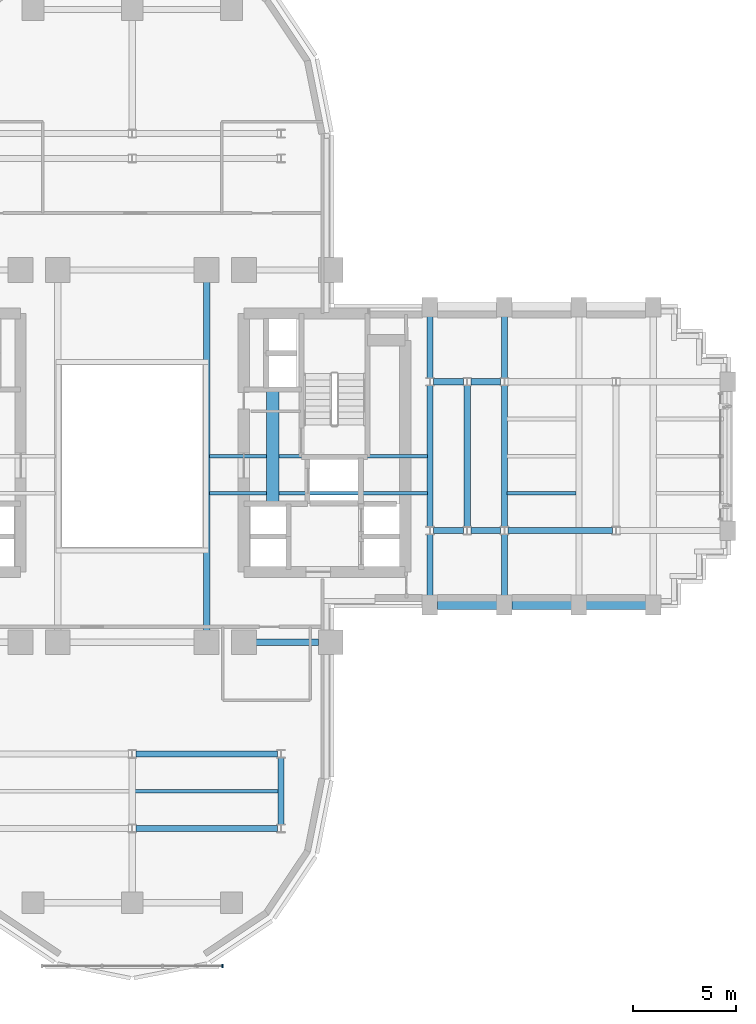
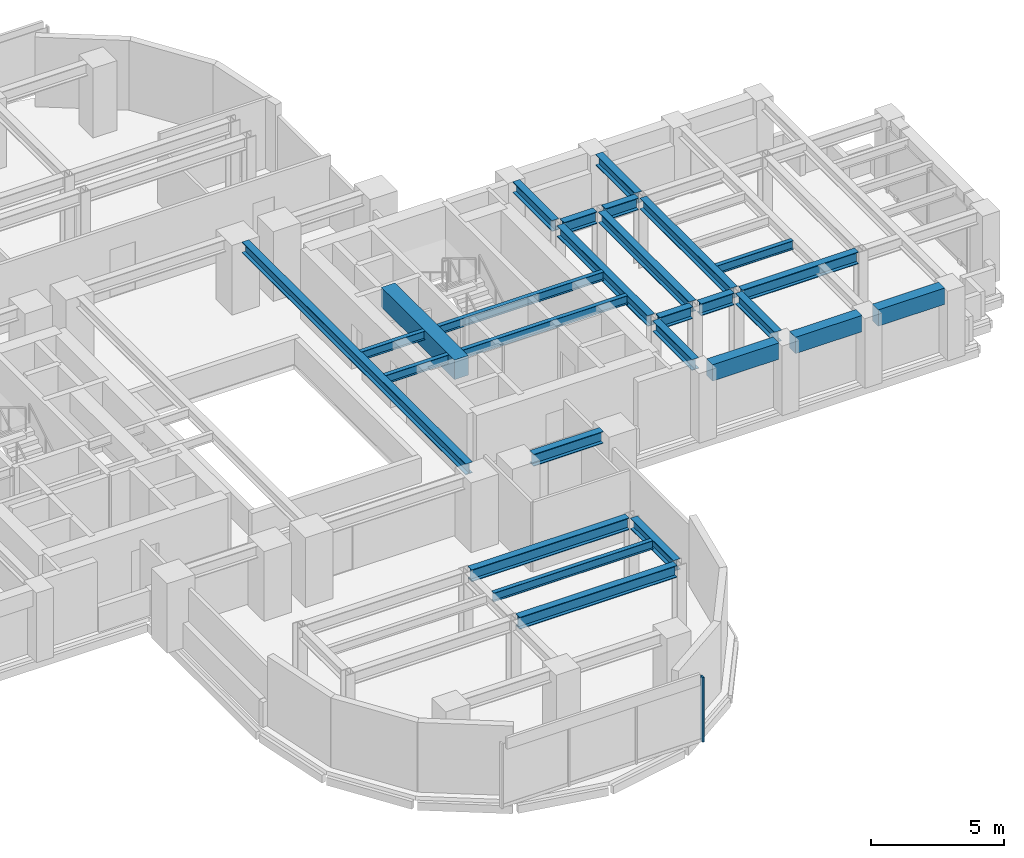
# One storey, part 5 of 16: 25 beams, 1 member, 1 element without a shape of its own.
"""IFC4 building model written with IfcOpenShell, lengths in metres."""

from ifc_helpers import new_model, si_unit, direction, frame, origin, origin_2d, place, context, subcontext, project, spatial, rectangle, i_section, extrude, source, transform, mapped, material, material_profile, profile_set, type_object, element, aggregate, save


model = new_model("IFC4")

# Units and contexts
model_context = context("Model", 3, precision=1e-05, world=origin(), true_north=direction((0.0, 1.0)))
body_context = subcontext(model_context, "Body", "Model", "MODEL_VIEW")
ifc_project = project(units=[si_unit("LENGTHUNIT", "METRE"), si_unit("AREAUNIT", "SQUARE_METRE"), si_unit("VOLUMEUNIT", "CUBIC_METRE"), si_unit("PLANEANGLEUNIT", "RADIAN"), si_unit("MASSUNIT", "GRAM", prefix="KILO")], contexts=[model_context])

# Site, building, storey
site_placement = place(None, origin())
site = spatial("IfcSite", under=ifc_project, at=site_placement, CompositionType="ELEMENT")
building_placement = place(site_placement, origin())
building = spatial("IfcBuilding", under=site, at=building_placement, Name="Keilestroom Media Tower", CompositionType="ELEMENT")
storey_placement = place(building_placement, frame((0.0, 0.0, 64.60009765625)))
storey = spatial("IfcBuildingStorey", under=building, at=storey_placement, Name="L16", CompositionType="ELEMENT", Elevation=64.60009765625)

# Beams
ifc_material_1 = material(Name="Concrete C70/85", Category="concrete")
ifc_material_profile_1 = material_profile(ifc_material_1, rectangle(XDim=0.60009765625, YDim=0.89990234375, at=origin_2d()), Name="RC 600x900")
ifc_profile_set_1 = profile_set([ifc_material_profile_1], Name="Concrete C70/85")
beam_type_1 = type_object("IfcBeamType", Name="Core-Coupling-Lintel-Beam-RC-600x900", PredefinedType="LINTEL", material=ifc_profile_set_1)
shared_shape_1 = source(origin(), body_context, "Body", "SweptSolid", [
    extrude(rectangle(XDim=0.60009765625, YDim=0.89990234375, at=origin_2d()), origin(), (0.0, 0.0, 1.0), 5.52001953125),
])
beam_1_placement = place(storey_placement, frame((6.800048828125, -2.300048828125, 2.75), z_axis=(0.0, 1.0, 0.0), x_axis=(-1.0, 0.0, 0.0)))
element("IfcBeam", 1, at=beam_1_placement, inside=storey, type_object=beam_type_1, Name="L16 Beam CLB-1 CLB-L16-E", PredefinedType="LINTEL", context=body_context, shape_type="MappedRepresentation", body=[
    mapped(shared_shape_1, transform((0.0, 0.0, 0.0), x_axis=(1.0, 0.0, 0.0), y_axis=(0.0, 1.0, 0.0), z_axis=(0.0, 0.0, 1.0), scale=1.0)),
])
ifc_material_2 = material(Name="Steel S355", Category="steel")
ifc_material_profile_2 = material_profile(ifc_material_2, i_section(OverallWidth=0.300048828125, OverallDepth=0.550048828125, WebThickness=0.012939453125, FlangeThickness=0.029052734375, at=origin_2d()), Name="HEB 550")
ifc_profile_set_2 = profile_set([ifc_material_profile_2], Name="Steel S355")
beam_type_2 = type_object("IfcBeamType", Name="Primary-Structural-Girder-HEB-550", PredefinedType="BEAM", material=ifc_profile_set_2)
shared_shape_2 = source(origin(), body_context, "Body", "SweptSolid", [
    extrude(i_section(OverallWidth=0.300048828125, OverallDepth=0.550048828125, WebThickness=0.012939453125, FlangeThickness=0.029052734375, at=origin_2d()), origin(), (0.0, 0.0, 1.0), 6.836181640625),
])
for number, where, z_axis, x_axis, name in (
    (2, (0.181884765625, -18.0, 2.9248046875), (1.0, 0.0, 0.0), (0.0, 1.0, 0.0), "L16 Beam BG-5 BM-L16-EW-004"),
    (3, (0.181884765625, -14.39990234375, 2.9248046875), (1.0, 0.0, 0.0), (0.0, 1.0, 0.0), "L16 Beam BG-5 BM-L16-EW-006"),
):
    element("IfcBeam", number, at=place(storey_placement, frame(where, z_axis=z_axis, x_axis=x_axis)), inside=storey, type_object=beam_type_2, Name=name, PredefinedType="BEAM", context=body_context, shape_type="MappedRepresentation", body=[
        mapped(shared_shape_2, transform((0.0, 0.0, 0.0), x_axis=(1.0, 0.0, 0.0), y_axis=(0.0, 1.0, 0.0), z_axis=(0.0, 0.0, 1.0), scale=1.0)),
    ])
shared_shape_3 = source(origin(), body_context, "Body", "SweptSolid", [
    extrude(i_section(OverallWidth=0.300048828125, OverallDepth=0.550048828125, WebThickness=0.012939453125, FlangeThickness=0.029052734375, at=origin_2d()), origin(), (0.0, 0.0, 1.0), 3.0400390625),
])
beam_2_placement = place(storey_placement, frame((5.97998046875, -9.0, 2.9248046875), z_axis=(1.0, 0.0, 0.0), x_axis=(0.0, 1.0, 0.0)))
element("IfcBeam", 4, at=beam_2_placement, inside=storey, type_object=beam_type_2, Name="L16 Beam BG-5 BM-L16-EW-011", PredefinedType="BEAM", context=body_context, shape_type="MappedRepresentation", body=[
    mapped(shared_shape_3, transform((0.0, 0.0, 0.0), x_axis=(1.0, 0.0, 0.0), y_axis=(0.0, 1.0, 0.0), z_axis=(0.0, 0.0, 1.0), scale=1.0)),
])
ifc_material_3 = material(Name="Precast concrete C40/50", Category="concrete")
ifc_material_profile_3 = material_profile(ifc_material_3, rectangle(XDim=0.449951171875, YDim=0.75, at=origin_2d()), Name="PC 450x750")
ifc_profile_set_3 = profile_set([ifc_material_profile_3], Name="Precast concrete C40/50")
beam_type_3 = type_object("IfcBeamType", Name="Perimeter-Spandrel-Beam-PC-450x750", PredefinedType="SPANDREL", material=ifc_profile_set_3)
shared_shape_4 = source(origin(), body_context, "Body", "SweptSolid", [
    extrude(rectangle(XDim=0.449951171875, YDim=0.75, at=origin_2d()), origin(), (0.0, 0.0, 1.0), 2.889892578125),
])
beam_3_placement = place(storey_placement, frame((21.955078125, -7.199951171875, 2.824951171875), z_axis=(1.0, 0.0, 0.0), x_axis=(0.0, 1.0, 0.0)))
element("IfcBeam", 5, at=beam_3_placement, inside=storey, type_object=beam_type_3, Name="L16 Beam SPB-1 BM-L16-EW-017", PredefinedType="SPANDREL", context=body_context, shape_type="MappedRepresentation", body=[
    mapped(shared_shape_4, transform((0.0, 0.0, 0.0), x_axis=(1.0, 0.0, 0.0), y_axis=(0.0, 1.0, 0.0), z_axis=(0.0, 0.0, 1.0), scale=1.0)),
])
shared_shape_5 = source(origin(), body_context, "Body", "SweptSolid", [
    extrude(rectangle(XDim=0.449951171875, YDim=0.75, at=origin_2d()), origin(), (0.0, 0.0, 1.0), 2.89013671875),
])
for number, where, z_axis, x_axis, name in (
    (6, (14.7548828125, -7.199951171875, 2.824951171875), (1.0, 0.0, 0.0), (0.0, 1.0, 0.0), "L16 Beam SPB-1 BM-L16-EW-015"),
    (7, (18.35498046875, -7.199951171875, 2.824951171875), (1.0, 0.0, 0.0), (0.0, 1.0, 0.0), "L16 Beam SPB-1 BM-L16-EW-016"),
):
    element("IfcBeam", number, at=place(storey_placement, frame(where, z_axis=z_axis, x_axis=x_axis)), inside=storey, type_object=beam_type_3, Name=name, PredefinedType="SPANDREL", context=body_context, shape_type="MappedRepresentation", body=[
        mapped(shared_shape_5, transform((0.0, 0.0, 0.0), x_axis=(1.0, 0.0, 0.0), y_axis=(0.0, 1.0, 0.0), z_axis=(0.0, 0.0, 1.0), scale=1.0)),
    ])
shared_shape_6 = source(origin(), body_context, "Body", "SweptSolid", [
    extrude(i_section(OverallWidth=0.300048828125, OverallDepth=0.550048828125, WebThickness=0.012939453125, FlangeThickness=0.029052734375, at=origin_2d()), origin(), (0.0, 0.0, 1.0), 5.0361328125),
])
beam_4_placement = place(storey_placement, frame((18.181884765625, -3.60009765625, 2.9248046875), z_axis=(1.0, 0.0, 0.0), x_axis=(0.0, 1.0, 0.0)))
element("IfcBeam", 8, at=beam_4_placement, inside=storey, type_object=beam_type_2, Name="L16 Beam BG-5 BM-L16-EW-024", PredefinedType="BEAM", context=body_context, shape_type="MappedRepresentation", body=[
    mapped(shared_shape_6, transform((0.0, 0.0, 0.0), x_axis=(1.0, 0.0, 0.0), y_axis=(0.0, 1.0, 0.0), z_axis=(0.0, 0.0, 1.0), scale=1.0)),
])
shared_shape_7 = source(origin(), body_context, "Body", "SweptSolid", [
    extrude(i_section(OverallWidth=0.300048828125, OverallDepth=0.550048828125, WebThickness=0.012939453125, FlangeThickness=0.029052734375, at=origin_2d()), origin(), (0.0, 0.0, 1.0), 1.43603515625),
])
for number, where, z_axis, x_axis, name in (
    (9, (14.58203125, -3.60009765625, 2.9248046875), (1.0, 0.0, 0.0), (0.0, 1.0, 0.0), "L16 Beam BG-5 BM-L16-EW-022"),
    (10, (16.382080078125, -3.60009765625, 2.9248046875), (1.0, 0.0, 0.0), (0.0, 1.0, 0.0), "L16 Beam BG-5 BM-L16-EW-023"),
    (11, (14.58203125, 3.60009765625, 2.9248046875), (1.0, 0.0, 0.0), (0.0, 1.0, 0.0), "L16 Beam BG-5 BM-L16-EW-030"),
    (12, (16.382080078125, 3.60009765625, 2.9248046875), (1.0, 0.0, 0.0), (0.0, 1.0, 0.0), "L16 Beam BG-5 BM-L16-EW-031"),
):
    element("IfcBeam", number, at=place(storey_placement, frame(where, z_axis=z_axis, x_axis=x_axis)), inside=storey, type_object=beam_type_2, Name=name, PredefinedType="BEAM", context=body_context, shape_type="MappedRepresentation", body=[
        mapped(shared_shape_7, transform((0.0, 0.0, 0.0), x_axis=(1.0, 0.0, 0.0), y_axis=(0.0, 1.0, 0.0), z_axis=(0.0, 0.0, 1.0), scale=1.0)),
    ])
ifc_material_profile_4 = material_profile(ifc_material_2, i_section(OverallWidth=0.300048828125, OverallDepth=0.5, WebThickness=0.012451171875, FlangeThickness=0.028076171875, at=origin_2d()), Name="HEB 500")
ifc_profile_set_4 = profile_set([ifc_material_profile_4], Name="Steel S355")
beam_type_4 = type_object("IfcBeamType", Name="Primary-Structural-Girder-HEB-500", PredefinedType="BEAM", material=ifc_profile_set_4)
shared_shape_8 = source(origin(), body_context, "Body", "SweptSolid", [
    extrude(i_section(OverallWidth=0.300048828125, OverallDepth=0.5, WebThickness=0.012451171875, FlangeThickness=0.028076171875, at=origin_2d()), origin(), (0.0, 0.0, 1.0), 6.8330078125),
])
for number, where, z_axis, x_axis, name in (
    (13, (14.39990234375, -3.41650390625, 2.949951171875), (0.0, 1.0, 0.0), (-1.0, 0.0, 0.0), "L16 Beam BG-6 BM-L16-NS-077"),
    (14, (16.199951171875, -3.41650390625, 2.949951171875), (0.0, 1.0, 0.0), (-1.0, 0.0, 0.0), "L16 Beam BG-6 BM-L16-NS-079"),
    (15, (18.0, -3.41650390625, 2.949951171875), (0.0, 1.0, 0.0), (-1.0, 0.0, 0.0), "L16 Beam BG-6 BM-L16-NS-081"),
):
    element("IfcBeam", number, at=place(storey_placement, frame(where, z_axis=z_axis, x_axis=x_axis)), inside=storey, type_object=beam_type_4, Name=name, PredefinedType="BEAM", context=body_context, shape_type="MappedRepresentation", body=[
        mapped(shared_shape_8, transform((0.0, 0.0, 0.0), x_axis=(1.0, 0.0, 0.0), y_axis=(0.0, 1.0, 0.0), z_axis=(0.0, 0.0, 1.0), scale=1.0)),
    ])
shared_shape_9 = source(origin(), body_context, "Body", "SweptSolid", [
    extrude(i_section(OverallWidth=0.300048828125, OverallDepth=0.5, WebThickness=0.012451171875, FlangeThickness=0.028076171875, at=origin_2d()), origin(), (0.0, 0.0, 1.0), 2.961669921875),
])
for number, where, z_axis, x_axis, name in (
    (16, (14.39990234375, -6.7451171875, 2.949951171875), (0.0, 1.0, 0.0), (-1.0, 0.0, 0.0), "L16 Beam BG-6 BM-L16-NS-076"),
    (17, (14.39990234375, 3.783447265625, 2.949951171875), (0.0, 1.0, 0.0), (-1.0, 0.0, 0.0), "L16 Beam BG-6 BM-L16-NS-078"),
    (18, (18.0, -6.7451171875, 2.949951171875), (0.0, 1.0, 0.0), (-1.0, 0.0, 0.0), "L16 Beam BG-6 BM-L16-NS-080"),
    (19, (18.0, 3.783447265625, 2.949951171875), (0.0, 1.0, 0.0), (-1.0, 0.0, 0.0), "L16 Beam BG-6 BM-L16-NS-082"),
):
    element("IfcBeam", number, at=place(storey_placement, frame(where, z_axis=z_axis, x_axis=x_axis)), inside=storey, type_object=beam_type_4, Name=name, PredefinedType="BEAM", context=body_context, shape_type="MappedRepresentation", body=[
        mapped(shared_shape_9, transform((0.0, 0.0, 0.0), x_axis=(1.0, 0.0, 0.0), y_axis=(0.0, 1.0, 0.0), z_axis=(0.0, 0.0, 1.0), scale=1.0)),
    ])
shared_shape_10 = source(origin(), body_context, "Body", "SweptSolid", [
    extrude(i_section(OverallWidth=0.300048828125, OverallDepth=0.5, WebThickness=0.012451171875, FlangeThickness=0.028076171875, at=origin_2d()), origin(), (0.0, 0.0, 1.0), 3.23291015625),
])
beam_5_placement = place(storey_placement, frame((7.199951171875, -17.81640625, 2.949951171875), z_axis=(0.0, 1.0, 0.0), x_axis=(-1.0, 0.0, 0.0)))
element("IfcBeam", 20, at=beam_5_placement, inside=storey, type_object=beam_type_4, Name="L16 Beam BG-6 BM-L16-NS-073", PredefinedType="BEAM", context=body_context, shape_type="MappedRepresentation", body=[
    mapped(shared_shape_10, transform((0.0, 0.0, 0.0), x_axis=(1.0, 0.0, 0.0), y_axis=(0.0, 1.0, 0.0), z_axis=(0.0, 0.0, 1.0), scale=1.0)),
])
shared_shape_11 = source(origin(), body_context, "Body", "SweptSolid", [
    extrude(i_section(OverallWidth=0.300048828125, OverallDepth=0.5, WebThickness=0.012451171875, FlangeThickness=0.028076171875, at=origin_2d()), origin(), (0.0, 0.0, 1.0), 16.83984375),
])
beam_6_placement = place(storey_placement, frame((3.60009765625, -8.419921875, 2.949951171875), z_axis=(0.0, 1.0, 0.0), x_axis=(-1.0, 0.0, 0.0)))
element("IfcBeam", 21, at=beam_6_placement, inside=storey, type_object=beam_type_4, Name="L16 Beam BG-6 BM-L16-NS-071", PredefinedType="BEAM", context=body_context, shape_type="MappedRepresentation", body=[
    mapped(shared_shape_11, transform((0.0, 0.0, 0.0), x_axis=(1.0, 0.0, 0.0), y_axis=(0.0, 1.0, 0.0), z_axis=(0.0, 0.0, 1.0), scale=1.0)),
])
ifc_material_profile_5 = material_profile(ifc_material_2, i_section(OverallWidth=0.179931640625, OverallDepth=0.39990234375, WebThickness=0.008544921875, FlangeThickness=0.013427734375, at=origin_2d()), Name="IPE 400")
ifc_profile_set_5 = profile_set([ifc_material_profile_5], Name="Steel S355")
beam_type_5 = type_object("IfcBeamType", Name="Secondary-Floor-Joist-IPE-400", PredefinedType="JOIST", material=ifc_profile_set_5)
shared_shape_12 = source(origin(), body_context, "Body", "SweptSolid", [
    extrude(i_section(OverallWidth=0.179931640625, OverallDepth=0.39990234375, WebThickness=0.008544921875, FlangeThickness=0.013427734375, at=origin_2d()), origin(), (0.0, 0.0, 1.0), 6.940185546875),
])
beam_7_placement = place(storey_placement, frame((0.1298828125, -16.199951171875, 3.0), z_axis=(1.0, 0.0, 0.0), x_axis=(0.0, 1.0, 0.0)))
element("IfcBeam", 22, at=beam_7_placement, inside=storey, type_object=beam_type_5, Name="L16 Beam BJ-4 JST-L16-088", PredefinedType="JOIST", context=body_context, shape_type="MappedRepresentation", body=[
    mapped(shared_shape_12, transform((0.0, 0.0, 0.0), x_axis=(1.0, 0.0, 0.0), y_axis=(0.0, 1.0, 0.0), z_axis=(0.0, 0.0, 1.0), scale=1.0)),
])
shared_shape_13 = source(origin(), body_context, "Body", "SweptSolid", [
    extrude(i_section(OverallWidth=0.179931640625, OverallDepth=0.39990234375, WebThickness=0.008544921875, FlangeThickness=0.013427734375, at=origin_2d()), origin(), (0.0, 0.0, 1.0), 3.340087890625),
])
beam_8_placement = place(storey_placement, frame((18.1298828125, -1.800048828125, 3.0), z_axis=(1.0, 0.0, 0.0), x_axis=(0.0, 1.0, 0.0)))
element("IfcBeam", 23, at=beam_8_placement, inside=storey, type_object=beam_type_5, Name="L16 Beam BJ-4 JST-L16-094", PredefinedType="JOIST", context=body_context, shape_type="MappedRepresentation", body=[
    mapped(shared_shape_13, transform((0.0, 0.0, 0.0), x_axis=(1.0, 0.0, 0.0), y_axis=(0.0, 1.0, 0.0), z_axis=(0.0, 0.0, 1.0), scale=1.0)),
])
shared_shape_14 = source(origin(), body_context, "Body", "SweptSolid", [
    extrude(i_section(OverallWidth=0.179931640625, OverallDepth=0.39990234375, WebThickness=0.008544921875, FlangeThickness=0.013427734375, at=origin_2d()), origin(), (0.0, 0.0, 1.0), 10.5400390625),
])
for number, where, z_axis, x_axis, name in (
    (24, (3.72998046875, -1.800048828125, 3.0), (1.0, 0.0, 0.0), (0.0, 1.0, 0.0), "L16 Beam BJ-4 JST-L16-093"),
    (25, (3.72998046875, 0.0, 3.0), (1.0, 0.0, 0.0), (0.0, 1.0, 0.0), "L16 Beam BJ-4 JST-L16-100"),
):
    element("IfcBeam", number, at=place(storey_placement, frame(where, z_axis=z_axis, x_axis=x_axis)), inside=storey, type_object=beam_type_5, Name=name, PredefinedType="JOIST", context=body_context, shape_type="MappedRepresentation", body=[
        mapped(shared_shape_14, transform((0.0, 0.0, 0.0), x_axis=(1.0, 0.0, 0.0), y_axis=(0.0, 1.0, 0.0), z_axis=(0.0, 0.0, 1.0), scale=1.0)),
    ])

# Curtain wall, member
ifc_material_4 = material(Name="Anodised Aluminium Alloy", Category="aluminium")
curtain_wall_type = type_object("IfcCurtainWallType", Name="Unitised-Curtain-Wall-CW-6", PredefinedType="NOTDEFINED", material=ifc_material_4)
curtain_wall_placement = place(storey_placement, origin())
curtain_wall = element("IfcCurtainWall", 26, at=curtain_wall_placement, inside=storey, type_object=curtain_wall_type, Name="L16 Curtain Wall CW-6 CW-L16-LS-1", PredefinedType="NOTDEFINED")
ifc_material_profile_6 = material_profile(ifc_material_4, rectangle(XDim=0.06494140625, YDim=0.179931640625, at=origin_2d()), Name="ALU MULLION 65x180")
ifc_profile_set_6 = profile_set([ifc_material_profile_6], Name="Anodised Aluminium Alloy")
member_type = type_object("IfcMemberType", Name="Curtain-Wall-Mullion-CW-6", PredefinedType="MULLION", material=ifc_profile_set_6)
shared_shape_15 = source(origin(), body_context, "Body", "SweptSolid", [
    extrude(rectangle(XDim=0.06494140625, YDim=0.179931640625, at=origin_2d()), origin(), (0.0, 0.0, 1.0), 2.97998046875),
])
member_placement = place(storey_placement, frame((4.367431640625, -24.64990234375, 0.0), z_axis=(0.0, 0.0, 1.0), x_axis=(1.0, 0.0, 0.0)))
member = element("IfcMember", 27, at=member_placement, type_object=member_type, Name="CW-6 Mullion 03", PredefinedType="MULLION", context=body_context, shape_type="MappedRepresentation", body=[
    mapped(shared_shape_15, transform((0.0, 0.0, 0.0), x_axis=(1.0, 0.0, 0.0), y_axis=(0.0, 1.0, 0.0), z_axis=(0.0, 0.0, 1.0), scale=1.0)),
])
aggregate(curtain_wall, [member])

save(model, "model.ifc")
